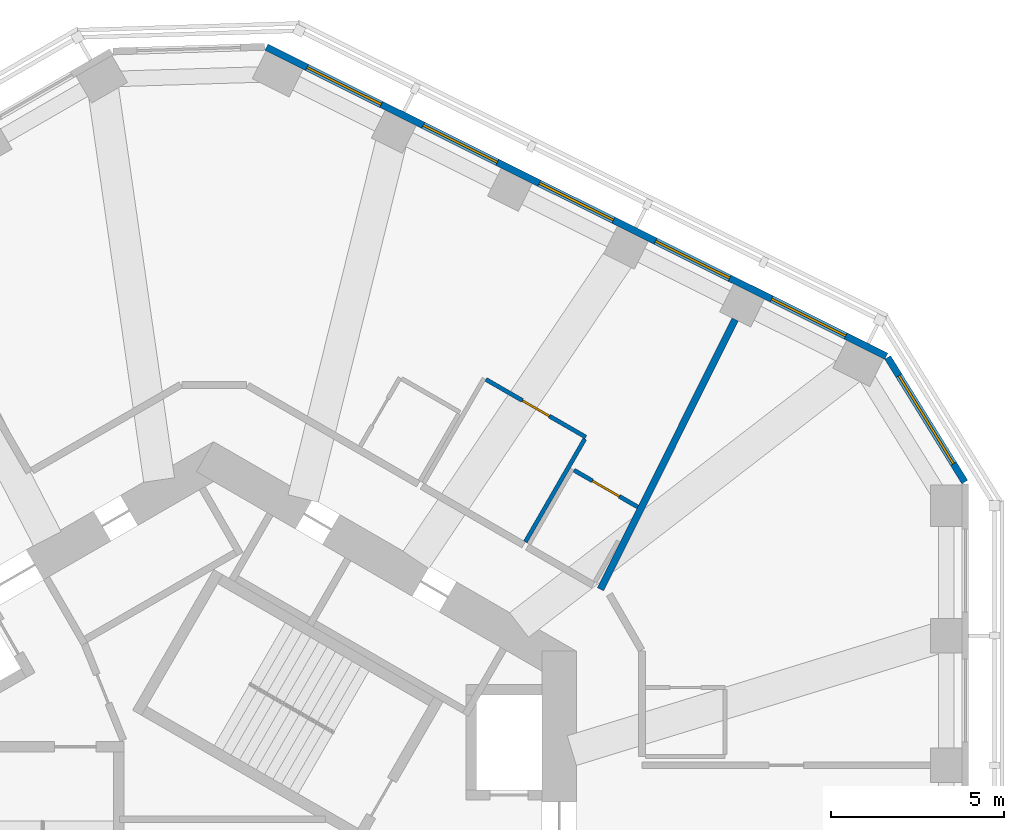
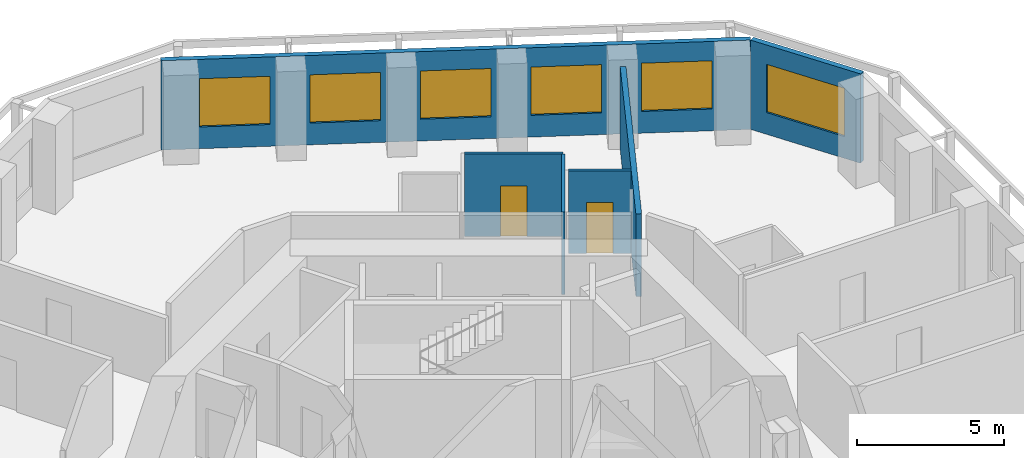
# One storey, part 8 of 11: 6 walls, 6 windows, 2 doors, 8 openings.
"""IFC4 building model written with IfcOpenShell, lengths in metres."""

from ifc_helpers import new_model, si_unit, direction, frame, frame_2d, origin, place, context, subcontext, project, spatial, rectangle, extrude, material, layer, layer_set, type_object, element, fill, save


model = new_model("IFC4")

# Units and contexts
model_context = context("Model", 3, precision=1e-05, world=origin(), true_north=direction((0.0, 1.0)))
body_context = subcontext(model_context, "Body", "Model", "MODEL_VIEW")
ifc_project = project(units=[si_unit("LENGTHUNIT", "METRE"), si_unit("AREAUNIT", "SQUARE_METRE"), si_unit("VOLUMEUNIT", "CUBIC_METRE"), si_unit("PLANEANGLEUNIT", "RADIAN"), si_unit("MASSUNIT", "GRAM", prefix="KILO")], contexts=[model_context])

# Site, building, storey
site_placement = place(None, origin())
site = spatial("IfcSite", under=ifc_project, at=site_placement, CompositionType="ELEMENT")
building_placement = place(site_placement, origin())
building = spatial("IfcBuilding", under=site, at=building_placement, Name="Vanh Sen Convention Tower", CompositionType="ELEMENT")
storey_placement = place(building_placement, frame((0.0, 0.0, 168.800048828125)))
storey = spatial("IfcBuildingStorey", under=building, at=storey_placement, Name="L41", CompositionType="ELEMENT", Elevation=168.800048828125)

# Wall, opening, door
ifc_material_1 = material(Name="Moisture-resistant gypsum board on steel studs", Category="steel")
ifc_layer_1 = layer(ifc_material_1, 0.1201171875)
ifc_layer_set_1 = layer_set([ifc_layer_1], Name="Moisture-resistant gypsum board on steel studs")
wall_type_1 = type_object("IfcWallType", Name="Bathroom partition 120", PredefinedType="PARTITIONING", material=ifc_layer_set_1)
wall_1_placement = place(storey_placement, frame((7.878173828125, 13.9267578125, 0.0), z_axis=(0.0, 0.0, 1.0), x_axis=(0.866021245731, -0.500007201891, 0.0)))
wall_1 = element("IfcWall", 1, at=wall_1_placement, inside=storey, type_object=wall_type_1, Name="Bathroom partition 120", PredefinedType="PARTITIONING", context=body_context, shape_type="SweptSolid", body=[
    extrude(rectangle(XDim=3.33984375, YDim=0.1201171875, at=frame_2d((1.669921875, 0.0))), origin(), (0.0, 0.0, 1.0), 3.419921875),
])
opening_1_placement = place(wall_1_placement, frame((1.219970703125, 0.0, 0.0)))
opening_1 = element("IfcOpeningElement", 2, at=opening_1_placement, cuts=wall_1, Name="Opening D41105", PredefinedType="OPENING", context=body_context, shape_type="SweptSolid", body=[
    extrude(rectangle(XDim=0.89990234375, YDim=2.10009765625, at=frame_2d((0.449951171875, 1.050048828125))), frame((0.0, 0.070068359375, 0.0), z_axis=(0.0, -1.0, 0.0), x_axis=(1.0, 0.0, 0.0)), (0.0, 0.0, 1.0), 0.14013671875),
])
ifc_material_2 = material(Name="Laminate door in steel frame", Category="steel")
door_type = type_object("IfcDoorType", Name="Room internal door 900", OperationType="SINGLE_SWING_LEFT", PredefinedType="DOOR", material=ifc_material_2)
door_1_placement = place(opening_1_placement, origin())
door_1 = element("IfcDoor", 3, at=door_1_placement, inside=storey, type_object=door_type, Name="Internal room door D41105", OperationType="SINGLE_SWING_LEFT", OverallHeight=2.10009765625, OverallWidth=0.89990234375, PredefinedType="DOOR", context=body_context, shape_type="SweptSolid", body=[
    extrude(rectangle(XDim=0.89990234375, YDim=2.10009765625, at=frame_2d((0.449951171875, 1.050048828125))), frame((0.0, 0.02490234375, 0.0), z_axis=(0.0, -1.0, 0.0), x_axis=(1.0, 0.0, 0.0)), (0.0, 0.0, 1.0), 0.050048828125),
])
fill(opening_1, door_1)

wall_2_placement = place(storey_placement, frame((10.426513671875, 11.30078125, 0.0), z_axis=(0.0, 0.0, 1.0), x_axis=(0.866019511163, -0.500010206181, 0.0)))
wall_2 = element("IfcWall", 4, at=wall_2_placement, inside=storey, type_object=wall_type_1, Name="Bathroom partition 120", PredefinedType="PARTITIONING", context=body_context, shape_type="SweptSolid", body=[
    extrude(rectangle(XDim=2.1298828125, YDim=0.1201171875, at=frame_2d((1.06494140625, 0.0))), origin(), (0.0, 0.0, 1.0), 3.419921875),
])
opening_2_placement = place(wall_2_placement, frame((0.614990234375, 0.0, 0.0)))
opening_2 = element("IfcOpeningElement", 5, at=opening_2_placement, cuts=wall_2, Name="Opening D41104", PredefinedType="OPENING", context=body_context, shape_type="SweptSolid", body=[
    extrude(rectangle(XDim=0.89990234375, YDim=2.10009765625, at=frame_2d((0.449951171875, 1.050048828125))), frame((0.0, 0.070068359375, 0.0), z_axis=(0.0, -1.0, 0.0), x_axis=(1.0, 0.0, 0.0)), (0.0, 0.0, 1.0), 0.14013671875),
])
door_2_placement = place(opening_2_placement, origin())
door_2 = element("IfcDoor", 6, at=door_2_placement, inside=storey, type_object=door_type, Name="Internal room door D41104", OperationType="SINGLE_SWING_LEFT", OverallHeight=2.10009765625, OverallWidth=0.89990234375, PredefinedType="DOOR", context=body_context, shape_type="SweptSolid", body=[
    extrude(rectangle(XDim=0.89990234375, YDim=2.10009765625, at=frame_2d((0.449951171875, 1.050048828125))), frame((0.0, 0.02490234375, 0.0), z_axis=(0.0, -1.0, 0.0), x_axis=(1.0, 0.0, 0.0)), (0.0, 0.0, 1.0), 0.050048828125),
])
fill(opening_2, door_2)

# Wall
wall_3_placement = place(storey_placement, frame((10.740478515625, 12.204833984375, 0.0), z_axis=(0.0, 0.0, 1.0), x_axis=(-0.499978425106, -0.866037859697, 0.0)))
element("IfcWall", 7, at=wall_3_placement, inside=storey, type_object=wall_type_1, Name="Bathroom partition 120", PredefinedType="PARTITIONING", context=body_context, shape_type="SweptSolid", body=[
    extrude(rectangle(XDim=3.440185546875, YDim=0.1201171875, at=frame_2d((1.72021484375, 0.0))), origin(), (0.0, 0.0, 1.0), 3.419921875),
])

# Wall, opening, window
ifc_material_3 = material(Name="Insulated lightweight infill wall")
ifc_layer_2 = layer(ifc_material_3, 0.199951171875)
ifc_layer_set_2 = layer_set([ifc_layer_2], Name="Insulated lightweight infill wall")
wall_type_2 = type_object("IfcWallType", Name="External wall 200", PredefinedType="STANDARD", material=ifc_layer_set_2)
wall_4_placement = place(storey_placement, frame((21.735107421875, 10.9580078125, 0.0), z_axis=(0.0, 0.0, 1.0), x_axis=(-0.526213807775, 0.850352296702, 0.0)))
wall_4 = element("IfcWall", 8, at=wall_4_placement, inside=storey, type_object=wall_type_2, Name="External wall CH1 L41", PredefinedType="STANDARD", context=body_context, shape_type="SweptSolid", body=[
    extrude(rectangle(XDim=4.23828125, YDim=0.199951171875, at=frame_2d((2.119140625, 0.0))), origin(), (0.0, 0.0, 1.0), 3.699951171875),
])
opening_3_placement = place(wall_4_placement, frame((0.619140625, 0.0, 0.89990234375)))
opening_3 = element("IfcOpeningElement", 9, at=opening_3_placement, cuts=wall_4, Name="Opening WO2-CH11", PredefinedType="OPENING", context=body_context, shape_type="SweptSolid", body=[
    extrude(rectangle(XDim=3.0, YDim=2.0, at=frame_2d((1.5, 1.0))), frame((0.0, 0.10986328125, 0.0), z_axis=(0.0, -1.0, 0.0), x_axis=(1.0, 0.0, 0.0)), (0.0, 0.0, 1.0), 0.219970703125),
])
ifc_material_4 = material(Name="Aluminium frame with clear low-emissivity glass", Category="aluminium")
window_type_1 = type_object("IfcWindowType", Name="Office window 3000 x 2000", PartitioningType="SINGLE_PANEL", PredefinedType="WINDOW", material=ifc_material_4)
window_1_placement = place(opening_3_placement, origin())
window_1 = element("IfcWindow", 10, at=window_1_placement, inside=storey, type_object=window_type_1, Name="Window WO2-CH11", OverallHeight=2.0, OverallWidth=3.0, PartitioningType="SINGLE_PANEL", PredefinedType="WINDOW", context=body_context, shape_type="SweptSolid", body=[
    extrude(rectangle(XDim=3.0, YDim=2.0, at=frame_2d((1.5, 1.0))), frame((0.0, 0.030029296875, 0.0), z_axis=(0.0, -1.0, 0.0), x_axis=(1.0, 0.0, 0.0)), (0.0, 0.0, 1.0), 0.06005859375),
])
fill(opening_3, window_1)

# Wall, openings, windows
wall_5_placement = place(storey_placement, frame((19.46435546875, 14.598876953125, 0.0), z_axis=(0.0, 0.0, 1.0), x_axis=(-0.894935755043, 0.446195018289, 0.0)))
wall_5 = element("IfcWall", 11, at=wall_5_placement, inside=storey, type_object=wall_type_2, Name="External wall NE L41", PredefinedType="STANDARD", context=body_context, shape_type="SweptSolid", body=[
    extrude(rectangle(XDim=20.043701171875, YDim=0.199951171875, at=frame_2d((10.02197265625, 0.0))), origin(), (0.0, 0.0, 1.0), 3.699951171875),
])
opening_4_placement = place(wall_5_placement, frame((1.31298828125, 0.0, 0.89990234375)))
opening_4 = element("IfcOpeningElement", 12, at=opening_4_placement, cuts=wall_5, Name="Opening WO1-NE1", PredefinedType="OPENING", context=body_context, shape_type="SweptSolid", body=[
    extrude(rectangle(XDim=2.39990234375, YDim=2.0, at=frame_2d((1.199951171875, 1.0))), frame((0.0, 0.10986328125, 0.0), z_axis=(0.0, -1.0, 0.0), x_axis=(1.0, 0.0, 0.0)), (0.0, 0.0, 1.0), 0.219970703125),
])
opening_5_placement = place(wall_5_placement, frame((5.06689453125, 0.0, 0.89990234375)))
opening_5 = element("IfcOpeningElement", 13, at=opening_5_placement, cuts=wall_5, Name="Opening WO1-NE2", PredefinedType="OPENING", context=body_context, shape_type="SweptSolid", body=[
    extrude(rectangle(XDim=2.39990234375, YDim=2.0, at=frame_2d((1.199951171875, 1.0))), frame((0.0, 0.10986328125, 0.0), z_axis=(0.0, -1.0, 0.0), x_axis=(1.0, 0.0, 0.0)), (0.0, 0.0, 1.0), 0.219970703125),
])
opening_6_placement = place(wall_5_placement, frame((8.821044921875, 0.0, 0.89990234375)))
opening_6 = element("IfcOpeningElement", 14, at=opening_6_placement, cuts=wall_5, Name="Opening WO1-NE3", PredefinedType="OPENING", context=body_context, shape_type="SweptSolid", body=[
    extrude(rectangle(XDim=2.39990234375, YDim=2.0, at=frame_2d((1.199951171875, 1.0))), frame((0.0, 0.10986328125, 0.0), z_axis=(0.0, -1.0, 0.0), x_axis=(1.0, 0.0, 0.0)), (0.0, 0.0, 1.0), 0.219970703125),
])
opening_7_placement = place(wall_5_placement, frame((12.5751953125, 0.0, 0.89990234375)))
opening_7 = element("IfcOpeningElement", 15, at=opening_7_placement, cuts=wall_5, Name="Opening WO1-NE4", PredefinedType="OPENING", context=body_context, shape_type="SweptSolid", body=[
    extrude(rectangle(XDim=2.39990234375, YDim=2.0, at=frame_2d((1.199951171875, 1.0))), frame((0.0, 0.10986328125, 0.0), z_axis=(0.0, -1.0, 0.0), x_axis=(1.0, 0.0, 0.0)), (0.0, 0.0, 1.0), 0.219970703125),
])
opening_8_placement = place(wall_5_placement, frame((16.329345703125, 0.0, 0.89990234375)))
opening_8 = element("IfcOpeningElement", 16, at=opening_8_placement, cuts=wall_5, Name="Opening WO1-NE5", PredefinedType="OPENING", context=body_context, shape_type="SweptSolid", body=[
    extrude(rectangle(XDim=2.39990234375, YDim=2.0, at=frame_2d((1.199951171875, 1.0))), frame((0.0, 0.10986328125, 0.0), z_axis=(0.0, -1.0, 0.0), x_axis=(1.0, 0.0, 0.0)), (0.0, 0.0, 1.0), 0.219970703125),
])
window_type_2 = type_object("IfcWindowType", Name="Office window 2400 x 2000", PartitioningType="SINGLE_PANEL", PredefinedType="WINDOW", material=ifc_material_4)
window_2_placement = place(opening_4_placement, origin())
window_2 = element("IfcWindow", 17, at=window_2_placement, inside=storey, type_object=window_type_2, Name="Window WO1-NE1", OverallHeight=2.0, OverallWidth=2.39990234375, PartitioningType="SINGLE_PANEL", PredefinedType="WINDOW", context=body_context, shape_type="SweptSolid", body=[
    extrude(rectangle(XDim=2.39990234375, YDim=2.0, at=frame_2d((1.199951171875, 1.0))), frame((0.0, 0.030029296875, 0.0), z_axis=(0.0, -1.0, 0.0), x_axis=(1.0, 0.0, 0.0)), (0.0, 0.0, 1.0), 0.06005859375),
])
fill(opening_4, window_2)
window_3_placement = place(opening_5_placement, origin())
window_3 = element("IfcWindow", 18, at=window_3_placement, inside=storey, type_object=window_type_2, Name="Window WO1-NE2", OverallHeight=2.0, OverallWidth=2.39990234375, PartitioningType="SINGLE_PANEL", PredefinedType="WINDOW", context=body_context, shape_type="SweptSolid", body=[
    extrude(rectangle(XDim=2.39990234375, YDim=2.0, at=frame_2d((1.199951171875, 1.0))), frame((0.0, 0.030029296875, 0.0), z_axis=(0.0, -1.0, 0.0), x_axis=(1.0, 0.0, 0.0)), (0.0, 0.0, 1.0), 0.06005859375),
])
fill(opening_5, window_3)
window_4_placement = place(opening_6_placement, origin())
window_4 = element("IfcWindow", 19, at=window_4_placement, inside=storey, type_object=window_type_2, Name="Window WO1-NE3", OverallHeight=2.0, OverallWidth=2.39990234375, PartitioningType="SINGLE_PANEL", PredefinedType="WINDOW", context=body_context, shape_type="SweptSolid", body=[
    extrude(rectangle(XDim=2.39990234375, YDim=2.0, at=frame_2d((1.199951171875, 1.0))), frame((0.0, 0.030029296875, 0.0), z_axis=(0.0, -1.0, 0.0), x_axis=(1.0, 0.0, 0.0)), (0.0, 0.0, 1.0), 0.06005859375),
])
fill(opening_6, window_4)
window_5_placement = place(opening_7_placement, origin())
window_5 = element("IfcWindow", 20, at=window_5_placement, inside=storey, type_object=window_type_2, Name="Window WO1-NE4", OverallHeight=2.0, OverallWidth=2.39990234375, PartitioningType="SINGLE_PANEL", PredefinedType="WINDOW", context=body_context, shape_type="SweptSolid", body=[
    extrude(rectangle(XDim=2.39990234375, YDim=2.0, at=frame_2d((1.199951171875, 1.0))), frame((0.0, 0.030029296875, 0.0), z_axis=(0.0, -1.0, 0.0), x_axis=(1.0, 0.0, 0.0)), (0.0, 0.0, 1.0), 0.06005859375),
])
fill(opening_7, window_5)
window_6_placement = place(opening_8_placement, origin())
window_6 = element("IfcWindow", 21, at=window_6_placement, inside=storey, type_object=window_type_2, Name="Window WO1-NE5", OverallHeight=2.0, OverallWidth=2.39990234375, PartitioningType="SINGLE_PANEL", PredefinedType="WINDOW", context=body_context, shape_type="SweptSolid", body=[
    extrude(rectangle(XDim=2.39990234375, YDim=2.0, at=frame_2d((1.199951171875, 1.0))), frame((0.0, 0.030029296875, 0.0), z_axis=(0.0, -1.0, 0.0), x_axis=(1.0, 0.0, 0.0)), (0.0, 0.0, 1.0), 0.06005859375),
])
fill(opening_8, window_6)

# Wall
ifc_material_5 = material(Name="Gypsum board on steel studs with mineral wool", Category="steel")
ifc_layer_3 = layer(ifc_material_5, 0.199951171875)
ifc_layer_set_3 = layer_set([ifc_layer_3], Name="Gypsum board on steel studs with mineral wool")
wall_type_3 = type_object("IfcWallType", Name="Tenant suite wall 200", PredefinedType="PARTITIONING", material=ifc_layer_set_3)
wall_6_placement = place(storey_placement, frame((15.089599609375, 15.66259765625, 0.0), z_axis=(0.0, 0.0, 1.0), x_axis=(-0.446206011687, -0.894930273895, 0.0)))
element("IfcWall", 22, at=wall_6_placement, inside=storey, type_object=wall_type_3, Name="Tenant suite wall 200", PredefinedType="PARTITIONING", context=body_context, shape_type="SweptSolid", body=[
    extrude(rectangle(XDim=8.725341796875, YDim=0.199951171875, at=frame_2d((4.36279296875, 0.0))), origin(), (0.0, 0.0, 1.0), 3.419921875),
])

save(model, "model.ifc")
